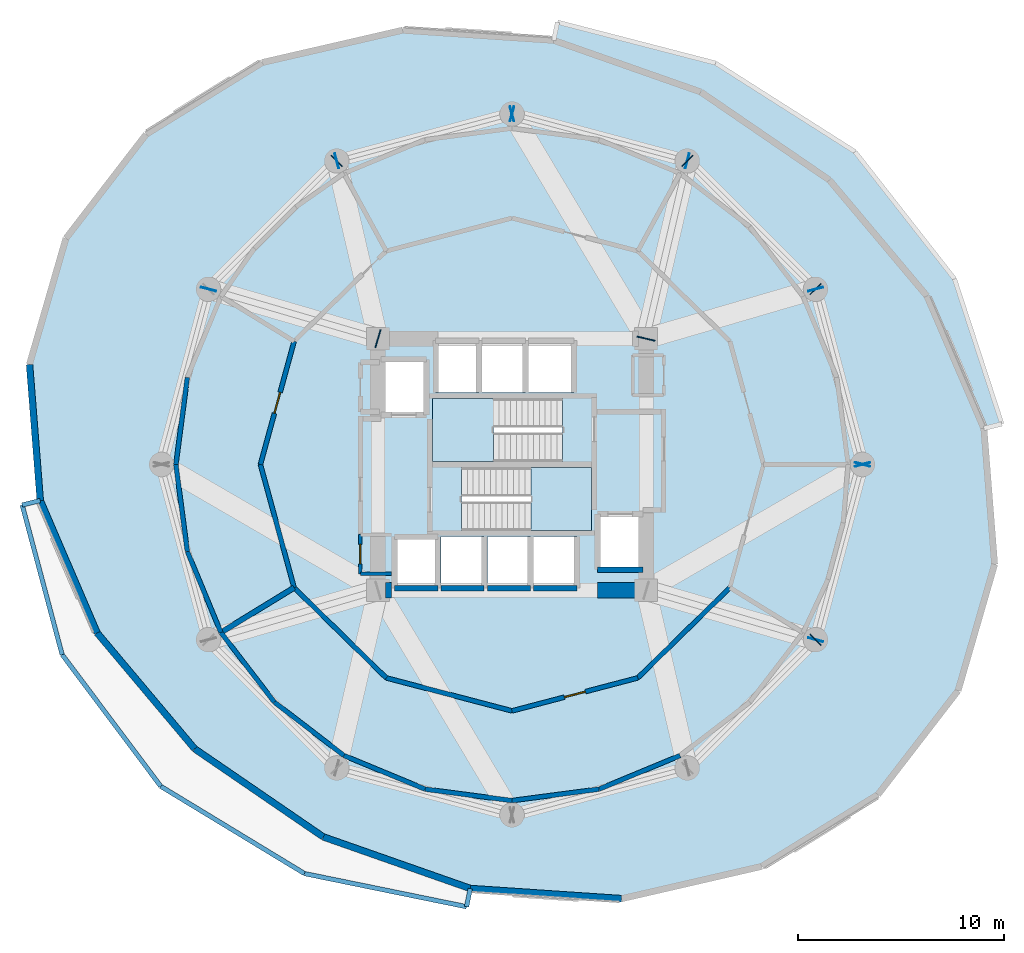
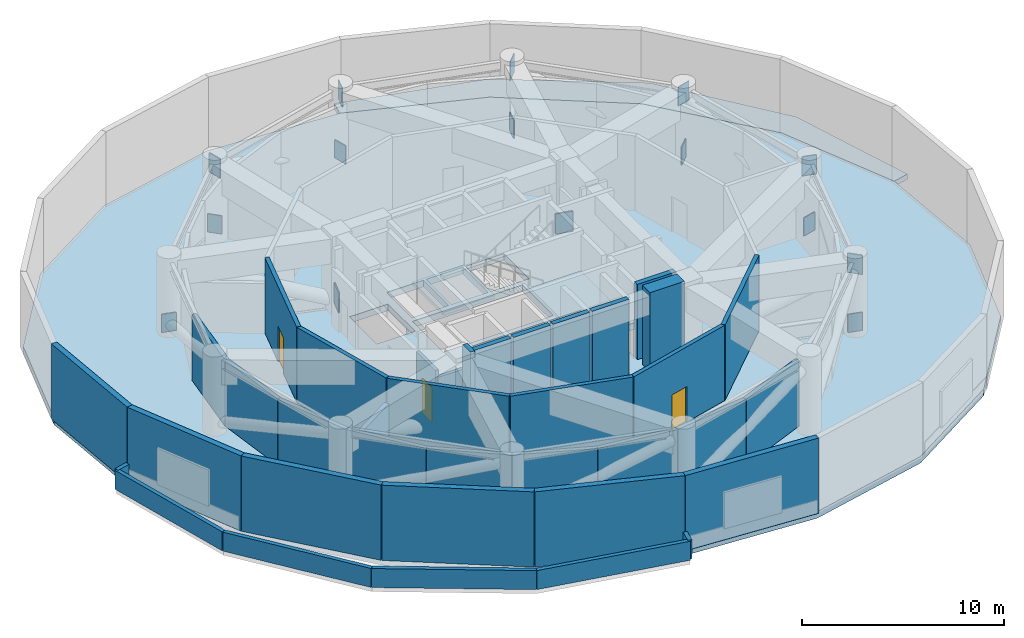
# One storey, part 2 of 6: 37 walls, 15 plates, 4 slabs, 3 doors, 3 openings, 2 elements without a shape of their own.
"""IFC4 building model written with IfcOpenShell, lengths in metres."""

from ifc_helpers import new_model, si_unit, direction, frame, frame_2d, origin, origin_2d, place, context, subcontext, project, spatial, polyline, rectangle, outline, extrude, material, layer, layer_set, type_object, element, fill, aggregate, save


model = new_model("IFC4")

# Units and contexts
model_context = context("Model", 3, precision=1e-05, world=origin(), true_north=direction((0.0, 1.0)))
body_context = subcontext(model_context, "Body", "Model", "MODEL_VIEW")
ifc_project = project(units=[si_unit("LENGTHUNIT", "METRE"), si_unit("AREAUNIT", "SQUARE_METRE"), si_unit("VOLUMEUNIT", "CUBIC_METRE"), si_unit("PLANEANGLEUNIT", "RADIAN"), si_unit("MASSUNIT", "GRAM", prefix="KILO")], contexts=[model_context])

# Site, building, storey
site_placement = place(None, origin())
site = spatial("IfcSite", under=ifc_project, at=site_placement, CompositionType="ELEMENT")
building_placement = place(site_placement, origin())
building = spatial("IfcBuilding", under=site, at=building_placement, Name="Solvirekh Grand Hotel", CompositionType="ELEMENT")
storey_placement = place(building_placement, frame((0.0, 0.0, 93.199951171875)))
storey = spatial("IfcBuildingStorey", under=building, at=storey_placement, Name="L23", CompositionType="ELEMENT", Elevation=93.199951171875)

# Plates
ifc_material_1 = material(Name="Steel S460", Category="steel")
ifc_layer_1 = layer(ifc_material_1, 0.044921875)
ifc_layer_set_1 = layer_set([ifc_layer_1], Name="Steel S460")
plate_type_1 = type_object("IfcPlateType", Name="GussetPlate_45", PredefinedType="USERDEFINED", material=ifc_layer_set_1)
for number, where, z_axis, x_axis, name in (
    (1, (17.0, 0.0, -0.060791015625), (0.0, 0.0, 1.0), (-0.258819045103, 0.965925826289, 0.0), "L23 hollow-section node plate GP-L23-BELT-01A"),
    (2, (14.721923828125, 8.5, 3.510986328125), (0.0, 0.0, 1.0), (-0.258819045103, 0.965925826289, 0.0), "L23 hollow-section node plate GP-L23-BELT-01B"),
    (3, (14.721923828125, 8.5, -0.060791015625), (0.0, 0.0, 1.0), (-0.707106781187, 0.707106781187, 0.0), "L23 hollow-section node plate GP-L23-BELT-02A"),
    (4, (8.5, 14.721923828125, 3.510986328125), (0.0, 0.0, 1.0), (-0.707106781187, 0.707106781187, 0.0), "L23 hollow-section node plate GP-L23-BELT-02B"),
    (5, (8.5, 14.721923828125, -0.060791015625), (0.0, 0.0, 1.0), (-0.965925826289, 0.258819045103, 0.0), "L23 hollow-section node plate GP-L23-BELT-03A"),
    (6, (0.0, 17.0, 3.510986328125), (0.0, 0.0, 1.0), (-0.965925826289, 0.258819045103, 0.0), "L23 hollow-section node plate GP-L23-BELT-03B"),
    (7, (0.0, 17.0, -0.060791015625), (0.0, 0.0, 1.0), (-0.965925826289, -0.258819045103, 0.0), "L23 hollow-section node plate GP-L23-BELT-04A"),
    (8, (-8.5, 14.721923828125, 3.510986328125), (0.0, 0.0, 1.0), (-0.965925826289, -0.258819045103, 0.0), "L23 hollow-section node plate GP-L23-BELT-04B"),
    (9, (-8.5, 14.721923828125, -0.060791015625), (0.0, 0.0, 1.0), (-0.707106781187, -0.707106781187, 0.0), "L23 hollow-section node plate GP-L23-BELT-05A"),
    (10, (-14.721923828125, 8.5, -0.060791015625), (0.0, 0.0, 1.0), (-0.258819045103, -0.965925826289, 0.0), "L23 hollow-section node plate GP-L23-BELT-06A"),
    (11, (14.721923828125, -8.5, 3.510986328125), (0.0, 0.0, 1.0), (0.707106781187, 0.707106781187, 0.0), "L23 hollow-section node plate GP-L23-BELT-11B"),
    (12, (14.721923828125, -8.5, -0.060791015625), (0.0, 0.0, 1.0), (0.258819045103, 0.965925826289, 0.0), "L23 hollow-section node plate GP-L23-BELT-12A"),
    (13, (17.0, 0.0, 3.510986328125), (0.0, 0.0, 1.0), (0.258819045103, 0.965925826289, 0.0), "L23 hollow-section node plate GP-L23-BELT-12B"),
):
    element("IfcPlate", number, at=place(storey_placement, frame(where, z_axis=z_axis, x_axis=x_axis)), inside=storey, type_object=plate_type_1, Name=name, ObjectType="GUSSET PLATE", PredefinedType="USERDEFINED", context=body_context, shape_type="SweptSolid", body=[
        extrude(rectangle(XDim=0.044921875, YDim=0.75, at=origin_2d()), origin(), (0.0, 0.0, 1.0), 1.14990234375),
    ])
ifc_layer_2 = layer(ifc_material_1, 0.06005859375)
ifc_layer_set_2 = layer_set([ifc_layer_2], Name="Steel S460")
plate_type_2 = type_object("IfcPlateType", Name="GussetPlate_60", PredefinedType="USERDEFINED", material=ifc_layer_set_2)
for number, where, z_axis, x_axis, name in (
    (14, (6.5, 6.10009765625, -0.185791015625), (0.0, 0.0, 1.0), (0.22597128876, 0.974133962377, 0.0), "L23 hollow-section node plate GP-L23-OUTR-03A"),
    (15, (-6.5, 6.10009765625, -0.185791015625), (0.0, 0.0, 1.0), (-0.959952117146, 0.280164117595, 0.0), "L23 hollow-section node plate GP-L23-OUTR-06A"),
):
    element("IfcPlate", number, at=place(storey_placement, frame(where, z_axis=z_axis, x_axis=x_axis)), inside=storey, type_object=plate_type_2, Name=name, ObjectType="GUSSET PLATE", PredefinedType="USERDEFINED", context=body_context, shape_type="SweptSolid", body=[
        extrude(rectangle(XDim=0.06005859375, YDim=0.89990234375, at=origin_2d()), origin(), (0.0, 0.0, 1.0), 1.39990234375),
    ])

# Stair, slab
ifc_material_2 = material(Name="Concrete C40/50", Category="concrete")
stair_type = type_object("IfcStairType", Name="Stair_Core_1450", PredefinedType="HALF_TURN_STAIR", material=ifc_material_2)
stair_1_placement = place(storey_placement, origin())
stair_1 = element("IfcStair", 16, at=stair_1_placement, inside=storey, type_object=stair_type, Name="L23 Enclosed exit stair ST-1", PredefinedType="HALF_TURN_STAIR")
ifc_layer_3 = layer(ifc_material_2, 0.199951171875)
ifc_layer_set_3 = layer_set([ifc_layer_3], Name="Concrete C40/50")
slab_type_1 = type_object("IfcSlabType", Name="Landing_Stair_200", PredefinedType="LANDING", material=ifc_layer_set_3)
slab_1_placement = place(storey_placement, frame((0.0, 0.0, 2.199951171875)))
slab_1 = element("IfcSlab", 17, at=slab_1_placement, type_object=slab_type_1, Name="ST-1 landing 1", PredefinedType="LANDING", context=body_context, shape_type="SweptSolid", body=[
    extrude(outline(polyline([(0.909912109375, -3.199951171875), (3.85009765625, -3.199951171875), (3.85009765625, -0.14990234375), (0.909912109375, -0.14990234375), (0.909912109375, -3.199951171875)])), origin(), (0.0, 0.0, 1.0), 0.2001953125),
])
aggregate(stair_1, [slab_1])

stair_2_placement = place(storey_placement, origin())
stair_2 = element("IfcStair", 18, at=stair_2_placement, inside=storey, type_object=stair_type, Name="L23 Enclosed exit stair ST-2", PredefinedType="HALF_TURN_STAIR")
slab_2_placement = place(storey_placement, frame((0.0, 0.0, 2.199951171875)))
slab_2 = element("IfcSlab", 19, at=slab_2_placement, type_object=slab_type_1, Name="ST-2 landing 1", PredefinedType="LANDING", context=body_context, shape_type="SweptSolid", body=[
    extrude(outline(polyline([(-0.909912109375, 3.199951171875), (-3.85009765625, 3.199951171875), (-3.85009765625, 0.14990234375), (-0.909912109375, 0.14990234375), (-0.909912109375, 3.199951171875)])), origin(), (0.0, 0.0, 1.0), 0.2001953125),
])
aggregate(stair_2, [slab_2])

# Slabs
ifc_material_3 = material(Name="Concrete C50/60", Category="concrete")
ifc_layer_4 = layer(ifc_material_3, 0.320068359375)
ifc_layer_set_4 = layer_set([ifc_layer_4], Name="Concrete C50/60")
slab_type_2 = type_object("IfcSlabType", Name="RoofSlab_Podium_320", PredefinedType="ROOF", material=ifc_layer_set_4)
slab_3_placement = place(storey_placement, frame((0.0, 0.0, -0.320068359375)))
element("IfcSlab", 20, at=slab_3_placement, inside=storey, type_object=slab_type_2, Name="L23 setback mechanical north roof cap", PredefinedType="ROOF", context=body_context, shape_type="SweptSolid", body=[
    extrude(outline(polyline([(23.7529296875, 1.967041015625), (21.455078125, 8.998046875), (16.631103515625, 15.1640625), (9.865966796875, 19.464111328125), (2.2060546875, 21.447021484375), (2.02294921875, 20.56591796875), (9.155029296875, 18.06201171875), (15.39111328125, 13.7900390625), (20.12109375, 8.16796875), (22.8798828125, 1.7470703125), (23.7529296875, 1.967041015625)])), origin(), (0.0, 0.0, 1.0), 0.320068359375),
])
ifc_layer_5 = layer(ifc_material_3, 0.39990234375)
ifc_layer_set_5 = layer_set([ifc_layer_5], Name="Concrete C50/60")
slab_type_3 = type_object("IfcSlabType", Name="Slab_Plant_400", PredefinedType="FLOOR", material=ifc_layer_set_5)
slab_4_placement = place(storey_placement, frame((0.0, 0.0, -0.39990234375)))
element("IfcSlab", 21, at=slab_4_placement, inside=storey, type_object=slab_type_3, Name="L23 structural floor slab", PredefinedType="FLOOR", context=body_context, shape_type="SweptSolid", body=[
    extrude(outline(polyline([(21.6298828125, -10.964111328125), (23.39990234375, -4.845947265625), (22.8798828125, 1.7470703125), (20.12109375, 8.16796875), (15.39111328125, 13.7900390625), (9.155029296875, 18.06201171875), (2.02294921875, 20.56591796875), (-5.306884765625, 21.056884765625), (-12.117919921875, 19.487060546875), (-17.741943359375, 16.009033203125), (-21.6298828125, 10.964111328125), (-23.39990234375, 4.845947265625), (-22.8798828125, -1.7470703125), (-20.12109375, -8.16796875), (-15.39111328125, -13.7900390625), (-9.155029296875, -18.06201171875), (-2.02294921875, -20.56591796875), (5.306884765625, -21.056884765625), (12.117919921875, -19.487060546875), (17.741943359375, -16.009033203125), (21.6298828125, -10.964111328125)]), holes=[polyline([(-2.444091796875, -0.14990234375), (3.85009765625, -0.14990234375), (3.85009765625, -3.199951171875), (-2.444091796875, -3.199951171875), (-2.444091796875, -0.14990234375)]), polyline([(2.444091796875, 0.14990234375), (-3.85009765625, 0.14990234375), (-3.85009765625, 3.199951171875), (2.444091796875, 3.199951171875), (2.444091796875, 0.14990234375)]), polyline([(-5.699951171875, -3.5), (-3.60009765625, -3.5), (-3.60009765625, -6.0), (-5.699951171875, -6.0), (-5.699951171875, -3.5)]), polyline([(-3.449951171875, -3.5), (-1.35009765625, -3.5), (-1.35009765625, -6.0), (-3.449951171875, -6.0), (-3.449951171875, -3.5)]), polyline([(-1.199951171875, -3.5), (0.89990234375, -3.5), (0.89990234375, -6.0), (-1.199951171875, -6.0), (-1.199951171875, -3.5)]), polyline([(1.050048828125, -3.5), (3.14990234375, -3.5), (3.14990234375, -6.0), (1.050048828125, -6.0), (1.050048828125, -3.5)]), polyline([(-3.699951171875, 6.0), (-1.60009765625, 6.0), (-1.60009765625, 3.5), (-3.699951171875, 3.5), (-3.699951171875, 6.0)]), polyline([(-1.449951171875, 6.0), (0.64990234375, 6.0), (0.64990234375, 3.5), (-1.449951171875, 3.5), (-1.449951171875, 6.0)]), polyline([(0.800048828125, 6.0), (3.0, 6.0), (3.0, 3.5), (0.800048828125, 3.5), (0.800048828125, 6.0)]), polyline([(-6.35009765625, 5.10009765625), (-4.14990234375, 5.10009765625), (-4.14990234375, 2.39990234375), (-6.35009765625, 2.39990234375), (-6.35009765625, 5.10009765625)]), polyline([(4.14990234375, -2.39990234375), (6.35009765625, -2.39990234375), (6.35009765625, -5.10009765625), (4.14990234375, -5.10009765625), (4.14990234375, -2.39990234375)])]), origin(), (0.0, 0.0, 1.0), 0.39990234375),
])

# Walls
ifc_layer_6 = layer(ifc_material_2, 0.280029296875)
ifc_layer_set_6 = layer_set([ifc_layer_6], Name="Concrete C40/50")
wall_type_1 = type_object("IfcWallType", Name="CoreShaftWall_RC280", PredefinedType="SOLIDWALL", material=ifc_layer_set_6)
for number, where, z_axis, x_axis, name in (
    (22, (-5.699951171875, -6.0, 0.0), (0.0, 0.0, 1.0), (1.0, 0.0, 0.0), "L23 LP-1 hoistway S wall"),
    (23, (-3.449951171875, -6.0, 0.0), (0.0, 0.0, 1.0), (1.0, 0.0, 0.0), "L23 LP-2 hoistway S wall"),
    (24, (-1.199951171875, -6.0, 0.0), (0.0, 0.0, 1.0), (1.0, 0.0, 0.0), "L23 MP-1 hoistway S wall"),
    (25, (1.050048828125, -6.0, 0.0), (0.0, 0.0, 1.0), (1.0, 0.0, 0.0), "L23 MP-2 hoistway S wall"),
):
    element("IfcWall", number, at=place(storey_placement, frame(where, z_axis=z_axis, x_axis=x_axis)), inside=storey, type_object=wall_type_1, Name=name, PredefinedType="SOLIDWALL", context=body_context, shape_type="SweptSolid", body=[
        extrude(rectangle(XDim=2.099853515625, YDim=0.280029296875, at=frame_2d((1.0498046875, 0.0))), origin(), (0.0, 0.0, 1.0), 4.550048828125),
    ])
wall_1_placement = place(storey_placement, frame((4.14990234375, -5.10009765625, 0.0), z_axis=(0.0, 0.0, 1.0), x_axis=(1.0, 0.0, 0.0)))
element("IfcWall", 26, at=wall_1_placement, inside=storey, type_object=wall_type_1, Name="L23 FL-2 hoistway S wall", PredefinedType="SOLIDWALL", context=body_context, shape_type="SweptSolid", body=[
    extrude(rectangle(XDim=2.2001953125, YDim=0.280029296875, at=frame_2d((1.10009765625, 0.0))), origin(), (0.0, 0.0, 1.0), 4.550048828125),
])
ifc_material_4 = material(Name="Concrete C60/75", Category="concrete")
ifc_layer_7 = layer(ifc_material_4, 0.75)
ifc_layer_set_7 = layer_set([ifc_layer_7], Name="Concrete C60/75")
wall_type_2 = type_object("IfcWallType", Name="CoreWall_RC750", PredefinedType="SHEAR", material=ifc_layer_set_7)
wall_2_placement = place(storey_placement, frame((-6.125, -6.10009765625, 0.0), z_axis=(0.0, 0.0, 1.0), x_axis=(1.0, 0.0, 0.0)))
element("IfcWall", 27, at=wall_2_placement, inside=storey, type_object=wall_type_2, Name="L23 core corner shear wall SW-S", PredefinedType="SHEAR", context=body_context, shape_type="SweptSolid", body=[
    extrude(rectangle(XDim=0.27490234375, YDim=0.75, at=frame_2d((0.137451171875, 0.0))), origin(), (0.0, 0.0, 1.0), 4.800048828125),
])
wall_3_placement = place(storey_placement, frame((4.14990234375, -6.10009765625, 0.0), z_axis=(0.0, 0.0, 1.0), x_axis=(1.0, 0.0, 0.0)))
element("IfcWall", 28, at=wall_3_placement, inside=storey, type_object=wall_type_2, Name="L23 core corner shear wall SE-S", PredefinedType="SHEAR", context=body_context, shape_type="SweptSolid", body=[
    extrude(rectangle(XDim=1.97509765625, YDim=0.75, at=frame_2d((0.987548828125, 0.0))), origin(), (0.0, 0.0, 1.0), 4.800048828125),
])
ifc_material_5 = material(Name="Precast concrete C45/55", Category="concrete")
ifc_layer_8 = layer(ifc_material_5, 0.320068359375)
ifc_layer_set_8 = layer_set([ifc_layer_8], Name="Precast concrete C45/55")
wall_type_3 = type_object("IfcWallType", Name="ExtLobbyWall_RC320", PredefinedType="SOLIDWALL", material=ifc_layer_set_8)
wall_4_placement = place(storey_placement, frame((-22.8798828125, -1.7470703125, 0.0), z_axis=(0.0, 0.0, 1.0), x_axis=(-0.078630076914, 0.996903862468, 0.0)))
element("IfcWall", 29, at=wall_4_placement, inside=storey, type_object=wall_type_3, Name="L23 exterior structural wall chord 12", PredefinedType="SOLIDWALL", context=body_context, shape_type="SweptSolid", body=[
    extrude(rectangle(XDim=6.613525390625, YDim=0.320068359375, at=frame_2d((3.306640625, 0.0))), origin(), (0.0, 0.0, 1.0), 4.550048828125),
])
wall_5_placement = place(storey_placement, frame((-20.12109375, -8.16796875, 0.0), z_axis=(0.0, 0.0, 1.0), x_axis=(-0.394762384769, 0.918783249505, 0.0)))
element("IfcWall", 30, at=wall_5_placement, inside=storey, type_object=wall_type_3, Name="L23 exterior structural wall chord 13", PredefinedType="SOLIDWALL", context=body_context, shape_type="SweptSolid", body=[
    extrude(rectangle(XDim=6.988525390625, YDim=0.320068359375, at=frame_2d((3.494140625, 0.0))), origin(), (0.0, 0.0, 1.0), 4.550048828125),
])
wall_6_placement = place(storey_placement, frame((-15.39111328125, -13.7900390625, 0.0), z_axis=(0.0, 0.0, 1.0), x_axis=(-0.643785719835, 0.765205819983, 0.0)))
element("IfcWall", 31, at=wall_6_placement, inside=storey, type_object=wall_type_3, Name="L23 exterior structural wall chord 14", PredefinedType="SOLIDWALL", context=body_context, shape_type="SweptSolid", body=[
    extrude(rectangle(XDim=7.34716796875, YDim=0.320068359375, at=frame_2d((3.673583984375, 0.0))), origin(), (0.0, 0.0, 1.0), 4.550048828125),
])
wall_7_placement = place(storey_placement, frame((-9.155029296875, -18.06201171875, 0.0), z_axis=(0.0, 0.0, 1.0), x_axis=(-0.824987866638, 0.565150440059, 0.0)))
element("IfcWall", 32, at=wall_7_placement, inside=storey, type_object=wall_type_3, Name="L23 exterior structural wall chord 15", PredefinedType="SOLIDWALL", context=body_context, shape_type="SweptSolid", body=[
    extrude(rectangle(XDim=7.55908203125, YDim=0.320068359375, at=frame_2d((3.779541015625, 0.0))), origin(), (0.0, 0.0, 1.0), 4.550048828125),
])
wall_8_placement = place(storey_placement, frame((-2.02294921875, -20.56591796875, 0.0), z_axis=(0.0, 0.0, 1.0), x_axis=(-0.943541194122, 0.331255211273, 0.0)))
element("IfcWall", 33, at=wall_8_placement, inside=storey, type_object=wall_type_3, Name="L23 exterior structural wall chord 16", PredefinedType="SOLIDWALL", context=body_context, shape_type="SweptSolid", body=[
    extrude(rectangle(XDim=7.558837890625, YDim=0.320068359375, at=frame_2d((3.779296875, 0.0))), origin(), (0.0, 0.0, 1.0), 4.550048828125),
])
wall_9_placement = place(storey_placement, frame((5.306884765625, -21.056884765625, 0.0), z_axis=(0.0, 0.0, 1.0), x_axis=(-0.997764227577, 0.066832224017, 0.0)))
element("IfcWall", 34, at=wall_9_placement, inside=storey, type_object=wall_type_3, Name="L23 exterior structural wall chord 17", PredefinedType="SOLIDWALL", context=body_context, shape_type="SweptSolid", body=[
    extrude(rectangle(XDim=7.34619140625, YDim=0.320068359375, at=frame_2d((3.673095703125, 0.0))), origin(), (0.0, 0.0, 1.0), 4.550048828125),
])
ifc_layer_9 = layer(ifc_material_5, 0.219970703125)
ifc_layer_set_9 = layer_set([ifc_layer_9], Name="Precast concrete C45/55")
wall_type_4 = type_object("IfcWallType", Name="ExtParapet_RC220", PredefinedType="PARAPET", material=ifc_layer_set_9)
wall_10_placement = place(storey_placement, frame((-22.8798828125, -1.7470703125, 0.0), z_axis=(0.0, 0.0, 1.0), x_axis=(-0.969694226738, -0.24432172771, 0.0)))
element("IfcWall", 35, at=wall_10_placement, inside=storey, type_object=wall_type_4, Name="L23 mechanical setback parapet terr 1", PredefinedType="PARAPET", context=body_context, shape_type="SweptSolid", body=[
    extrude(rectangle(XDim=0.900390625, YDim=0.219970703125, at=frame_2d((0.4501953125, 0.0))), origin(), (0.0, 0.0, 1.0), 1.150146484375),
])
wall_11_placement = place(storey_placement, frame((-23.7529296875, -1.967041015625, 0.0), z_axis=(0.0, 0.0, 1.0), x_axis=(0.257958088537, -0.966156107758, 0.0)))
element("IfcWall", 36, at=wall_11_placement, inside=storey, type_object=wall_type_4, Name="L23 mechanical setback parapet terr 2", PredefinedType="PARAPET", context=body_context, shape_type="SweptSolid", body=[
    extrude(rectangle(XDim=7.509033203125, YDim=0.219970703125, at=frame_2d((3.75439453125, 0.0))), origin(), (0.0, 0.0, 1.0), 1.150146484375),
])
wall_12_placement = place(storey_placement, frame((-21.81591796875, -9.221923828125, 0.0), z_axis=(0.0, 0.0, 1.0), x_axis=(0.599417282343, -0.800436706823, 0.0)))
element("IfcWall", 37, at=wall_12_placement, inside=storey, type_object=wall_type_4, Name="L23 mechanical setback parapet terr 3", PredefinedType="PARAPET", context=body_context, shape_type="SweptSolid", body=[
    extrude(rectangle(XDim=7.979248046875, YDim=0.219970703125, at=frame_2d((3.98974609375, 0.0))), origin(), (0.0, 0.0, 1.0), 1.150146484375),
])
wall_13_placement = place(storey_placement, frame((-17.032958984375, -15.60888671875, 0.0), z_axis=(0.0, 0.0, 1.0), x_axis=(0.854873312864, -0.518836794139, 0.0)))
element("IfcWall", 38, at=wall_13_placement, inside=storey, type_object=wall_type_4, Name="L23 mechanical setback parapet terr 4", PredefinedType="PARAPET", context=body_context, shape_type="SweptSolid", body=[
    extrude(rectangle(XDim=8.158935546875, YDim=0.219970703125, at=frame_2d((4.07958984375, 0.0))), origin(), (0.0, 0.0, 1.0), 1.150146484375),
])
wall_14_placement = place(storey_placement, frame((-10.05810546875, -19.842041015625, 0.0), z_axis=(0.0, 0.0, 1.0), x_axis=(0.979742380323, -0.200261998888, 0.0)))
element("IfcWall", 39, at=wall_14_placement, inside=storey, type_object=wall_type_4, Name="L23 mechanical setback parapet terr 5", PredefinedType="PARAPET", context=body_context, shape_type="SweptSolid", body=[
    extrude(rectangle(XDim=8.014404296875, YDim=0.219970703125, at=frame_2d((4.00732421875, 0.0))), origin(), (0.0, 0.0, 1.0), 1.150146484375),
])
wall_15_placement = place(storey_placement, frame((-2.2060546875, -21.447021484375, 0.0), z_axis=(0.0, 0.0, 1.0), x_axis=(0.203466721206, 0.979081862441, 0.0)))
element("IfcWall", 40, at=wall_15_placement, inside=storey, type_object=wall_type_4, Name="L23 mechanical setback parapet terr 6", PredefinedType="PARAPET", context=body_context, shape_type="SweptSolid", body=[
    extrude(rectangle(XDim=0.89990234375, YDim=0.219970703125, at=frame_2d((0.449951171875, 0.0))), origin(), (0.0, 0.0, 1.0), 1.150146484375),
])
ifc_material_6 = material(Name="Acoustic Gypsum Partition Assembly")
ifc_layer_10 = layer(ifc_material_6, 0.1650390625)
ifc_layer_set_10 = layer_set([ifc_layer_10], Name="Acoustic Gypsum Partition Assembly")
wall_type_5 = type_object("IfcWallType", Name="Part_BOH_165", PredefinedType="PARTITIONING", material=ifc_layer_set_10)
wall_16_placement = place(storey_placement, frame((-7.35009765625, -5.300048828125, 0.0), z_axis=(0.0, 0.0, 1.0), x_axis=(1.0, 0.0, 0.0)))
element("IfcWall", 41, at=wall_16_placement, inside=storey, type_object=wall_type_5, Name="L23 L23 Butler Service Closet wall 1", PredefinedType="PARTITIONING", context=body_context, shape_type="SweptSolid", body=[
    extrude(rectangle(XDim=1.5, YDim=0.1650390625, at=frame_2d((0.75, 0.0))), origin(), (0.0, 0.0, 1.0), 3.03515625),
])

# Wall, opening, door
wall_17_placement = place(storey_placement, frame((-7.35009765625, -3.39990234375, 0.0), z_axis=(0.0, 0.0, 1.0), x_axis=(0.0, -1.0, 0.0)))
wall_17 = element("IfcWall", 42, at=wall_17_placement, inside=storey, type_object=wall_type_5, Name="L23 L23 Butler Service Closet wall 4", PredefinedType="PARTITIONING", context=body_context, shape_type="SweptSolid", body=[
    extrude(rectangle(XDim=1.900146484375, YDim=0.1650390625, at=frame_2d((0.9501953125, 0.0))), origin(), (0.0, 0.0, 1.0), 3.43505859375),
])
opening_1_placement = place(wall_17_placement, frame((0.47509765625, 0.0, 0.0)))
opening_1 = element("IfcOpeningElement", 43, at=opening_1_placement, cuts=wall_17, Name="Opening D10", PredefinedType="OPENING", context=body_context, shape_type="SweptSolid", body=[
    extrude(rectangle(XDim=0.949951171875, YDim=2.10009765625, at=frame_2d((0.47509765625, 1.050048828125))), frame((0.0, 0.092529296875, 0.0), z_axis=(0.0, -1.0, 0.0), x_axis=(1.0, 0.0, 0.0)), (0.0, 0.0, 1.0), 0.18505859375),
])
ifc_material_7 = material(Name="Anodized Bronze Aluminium 6063-T6", Category="aluminium")
door_type_1 = type_object("IfcDoorType", Name="Door_RoomInt_950X2100", OperationType="NOTDEFINED", PredefinedType="DOOR", material=ifc_material_7)
door_1_placement = place(opening_1_placement, origin())
door_1 = element("IfcDoor", 44, at=door_1_placement, inside=storey, type_object=door_type_1, Name="L23 L23 Butler Service Closet door", OperationType="SINGLE_SWING_LEFT", OverallHeight=2.10009765625, OverallWidth=0.949951171875, PredefinedType="DOOR", context=body_context, shape_type="SweptSolid", body=[
    extrude(rectangle(XDim=0.949951171875, YDim=2.10009765625, at=frame_2d((0.47509765625, 1.050048828125))), frame((0.0, 0.02490234375, 0.0), z_axis=(0.0, -1.0, 0.0), x_axis=(1.0, 0.0, 0.0)), (0.0, 0.0, 1.0), 0.050048828125),
])
fill(opening_1, door_1)

# Wall
ifc_layer_11 = layer(ifc_material_6, 0.260009765625)
ifc_layer_set_11 = layer_set([ifc_layer_11], Name="Acoustic Gypsum Partition Assembly")
wall_type_6 = type_object("IfcWallType", Name="Part_LobbyFF_260", PredefinedType="PARTITIONING", material=ifc_layer_set_11)
wall_18_placement = place(storey_placement, frame((-10.56591796875, -5.97509765625, 0.0), z_axis=(0.0, 0.0, 1.0), x_axis=(-0.852711641588, -0.522381906559, 0.0)))
element("IfcWall", 45, at=wall_18_placement, inside=storey, type_object=wall_type_6, Name="L23 radial demising wall 8", PredefinedType="PARTITIONING", context=body_context, shape_type="SweptSolid", body=[
    extrude(rectangle(XDim=4.163330078125, YDim=0.260009765625, at=frame_2d((2.08154296875, 0.0))), origin(), (0.0, 0.0, 1.0), 3.03515625),
])

# Wall, opening, door
ifc_layer_12 = layer(ifc_material_5, 0.22509765625)
ifc_layer_set_12 = layer_set([ifc_layer_12], Name="Precast concrete C45/55")
wall_type_7 = type_object("IfcWallType", Name="Part_Plant_225", PredefinedType="PARTITIONING", material=ifc_layer_set_12)
wall_19_placement = place(storey_placement, frame((-10.56591796875, 5.97509765625, 0.0), z_axis=(0.0, 0.0, 1.0), x_axis=(-0.263787657435, -0.964580775148, 0.0)))
wall_19 = element("IfcWall", 46, at=wall_19_placement, inside=storey, type_object=wall_type_7, Name="L23 West Chilled-Water Plant Room corridor wall", PredefinedType="PARTITIONING", context=body_context, shape_type="SweptSolid", body=[
    extrude(rectangle(XDim=6.194580078125, YDim=0.22509765625, at=frame_2d((3.09716796875, 0.0))), origin(), (0.0, 0.0, 1.0), 4.550048828125),
])
opening_2_placement = place(wall_19_placement, frame((2.572021484375, 0.0, 0.0)))
opening_2 = element("IfcOpeningElement", 47, at=opening_2_placement, cuts=wall_19, Name="Opening D12", PredefinedType="OPENING", context=body_context, shape_type="SweptSolid", body=[
    extrude(rectangle(XDim=1.050048828125, YDim=2.14990234375, at=frame_2d((0.52490234375, 1.074951171875))), frame((0.0, 0.12255859375, 0.0), z_axis=(0.0, -1.0, 0.0), x_axis=(1.0, 0.0, 0.0)), (0.0, 0.0, 1.0), 0.2451171875),
])
ifc_material_8 = material(Name="Fire-Rated Steel Door Assembly", Category="steel")
door_type_2 = type_object("IfcDoorType", Name="Door_PlantBOH_1050X2150", OperationType="NOTDEFINED", PredefinedType="DOOR", material=ifc_material_8)
door_2_placement = place(opening_2_placement, origin())
door_2 = element("IfcDoor", 48, at=door_2_placement, inside=storey, type_object=door_type_2, Name="L23 West Chilled-Water Plant Room entrance door", OperationType="SINGLE_SWING_RIGHT", OverallHeight=2.14990234375, OverallWidth=1.050048828125, PredefinedType="DOOR", context=body_context, shape_type="SweptSolid", body=[
    extrude(rectangle(XDim=1.050048828125, YDim=2.14990234375, at=frame_2d((0.52490234375, 1.074951171875))), frame((0.0, 0.02490234375, 0.0), z_axis=(0.0, -1.0, 0.0), x_axis=(1.0, 0.0, 0.0)), (0.0, 0.0, 1.0), 0.050048828125),
])
fill(opening_2, door_2)

# Walls
wall_20_placement = place(storey_placement, frame((-12.199951171875, 0.0, 0.0), z_axis=(0.0, 0.0, 1.0), x_axis=(0.263787657435, -0.964580775148, 0.0)))
element("IfcWall", 49, at=wall_20_placement, inside=storey, type_object=wall_type_7, Name="L23 West Chilled-Water Plant Room corridor wall 2", PredefinedType="PARTITIONING", context=body_context, shape_type="SweptSolid", body=[
    extrude(rectangle(XDim=6.194580078125, YDim=0.22509765625, at=frame_2d((3.09716796875, 0.0))), origin(), (0.0, 0.0, 1.0), 4.550048828125),
])
for number, where, z_axis, x_axis, name in (
    (50, (-15.7451171875, 4.218994140625, 0.0), (0.0, 0.0, 1.0), (-0.130408504789, -0.991460348112, 0.0), "L23 West Chilled-Water Plant Room perimeter acoustic baffle wall 2"),
    (51, (-16.300048828125, 0.0, 0.0), (0.0, 0.0, 1.0), (0.130408504789, -0.991460348112, 0.0), "L23 West Chilled-Water Plant Room perimeter acoustic baffle wall 3"),
):
    element("IfcWall", number, at=place(storey_placement, frame(where, z_axis=z_axis, x_axis=x_axis)), inside=storey, type_object=wall_type_7, Name=name, PredefinedType="PARTITIONING", context=body_context, shape_type="SweptSolid", body=[
        extrude(rectangle(XDim=4.25537109375, YDim=0.22509765625, at=frame_2d((2.127685546875, 0.0))), origin(), (0.0, 0.0, 1.0), 4.0029296875),
    ])
wall_21_placement = place(storey_placement, frame((-15.7451171875, -4.218994140625, 0.0), z_axis=(0.0, 0.0, 1.0), x_axis=(0.382866948124, -0.92380349644, 0.0)))
element("IfcWall", 52, at=wall_21_placement, inside=storey, type_object=wall_type_7, Name="L23 West Chilled-Water Plant Room perimeter acoustic baffle wall 4", PredefinedType="PARTITIONING", context=body_context, shape_type="SweptSolid", body=[
    extrude(rectangle(XDim=4.255126953125, YDim=0.22509765625, at=frame_2d((2.12744140625, 0.0))), origin(), (0.0, 0.0, 1.0), 4.0029296875),
])

# Wall, opening, door
wall_22_placement = place(storey_placement, frame((0.0, -11.949951171875, 0.0), z_axis=(0.0, 0.0, 1.0), x_axis=(0.967248312895, 0.253832033445, 0.0)))
wall_22 = element("IfcWall", 53, at=wall_22_placement, inside=storey, type_object=wall_type_7, Name="L23 Pressurized Occupant Refuge Area corridor wall", PredefinedType="PARTITIONING", context=body_context, shape_type="SweptSolid", body=[
    extrude(rectangle(XDim=6.306640625, YDim=0.22509765625, at=frame_2d((3.1533203125, 0.0))), origin(), (0.0, 0.0, 1.0), 4.550048828125),
])
opening_3_placement = place(wall_22_placement, frame((2.6279296875, 0.0, 0.0)))
opening_3 = element("IfcOpeningElement", 54, at=opening_3_placement, cuts=wall_22, Name="Opening D12", PredefinedType="OPENING", context=body_context, shape_type="SweptSolid", body=[
    extrude(rectangle(XDim=1.050048828125, YDim=2.14990234375, at=frame_2d((0.52490234375, 1.074951171875))), frame((0.0, 0.12255859375, 0.0), z_axis=(0.0, -1.0, 0.0), x_axis=(1.0, 0.0, 0.0)), (0.0, 0.0, 1.0), 0.2451171875),
])
door_3_placement = place(opening_3_placement, origin())
door_3 = element("IfcDoor", 55, at=door_3_placement, inside=storey, type_object=door_type_2, Name="L23 Pressurized Occupant Refuge Area entrance door", OperationType="SINGLE_SWING_LEFT", OverallHeight=2.14990234375, OverallWidth=1.050048828125, PredefinedType="DOOR", context=body_context, shape_type="SweptSolid", body=[
    extrude(rectangle(XDim=1.050048828125, YDim=2.14990234375, at=frame_2d((0.52490234375, 1.074951171875))), frame((0.0, 0.02490234375, 0.0), z_axis=(0.0, -1.0, 0.0), x_axis=(1.0, 0.0, 0.0)), (0.0, 0.0, 1.0), 0.050048828125),
])
fill(opening_3, door_3)

# Walls
wall_23_placement = place(storey_placement, frame((-10.56591796875, -5.97509765625, 0.0), z_axis=(0.0, 0.0, 1.0), x_axis=(0.714411174131, -0.699726142342, 0.0)))
element("IfcWall", 56, at=wall_23_placement, inside=storey, type_object=wall_type_7, Name="L23 Pressurized Occupant Refuge Area corridor wall 2", PredefinedType="PARTITIONING", context=body_context, shape_type="SweptSolid", body=[
    extrude(rectangle(XDim=6.2509765625, YDim=0.22509765625, at=frame_2d((3.12548828125, 0.0))), origin(), (0.0, 0.0, 1.0), 4.550048828125),
])
wall_24_placement = place(storey_placement, frame((-6.10009765625, -10.34912109375, 0.0), z_axis=(0.0, 0.0, 1.0), x_axis=(0.967248312895, -0.253832033445, 0.0)))
element("IfcWall", 57, at=wall_24_placement, inside=storey, type_object=wall_type_7, Name="L23 Pressurized Occupant Refuge Area corridor wall 3", PredefinedType="PARTITIONING", context=body_context, shape_type="SweptSolid", body=[
    extrude(rectangle(XDim=6.306640625, YDim=0.22509765625, at=frame_2d((3.1533203125, 0.0))), origin(), (0.0, 0.0, 1.0), 4.550048828125),
])
wall_25_placement = place(storey_placement, frame((6.10009765625, -10.34912109375, 0.0), z_axis=(0.0, 0.0, 1.0), x_axis=(0.714411174131, 0.699726142342, 0.0)))
element("IfcWall", 58, at=wall_25_placement, inside=storey, type_object=wall_type_7, Name="L23 Pressurized Occupant Refuge Area corridor wall 4", PredefinedType="PARTITIONING", context=body_context, shape_type="SweptSolid", body=[
    extrude(rectangle(XDim=6.2509765625, YDim=0.22509765625, at=frame_2d((3.12548828125, 0.0))), origin(), (0.0, 0.0, 1.0), 4.550048828125),
])
for number, where, z_axis, x_axis, name in (
    (59, (-14.115966796875, -8.14990234375, 0.0), (0.0, 0.0, 1.0), (0.608703733473, -0.7933976083, 0.0), "L23 Pressurized Occupant Refuge Area perimeter acoustic baffle wall 1"),
    (60, (-11.52587890625, -11.52587890625, 0.0), (0.0, 0.0, 1.0), (0.7933976083, -0.608703733473, 0.0), "L23 Pressurized Occupant Refuge Area perimeter acoustic baffle wall 2"),
    (61, (-8.14990234375, -14.115966796875, 0.0), (0.0, 0.0, 1.0), (0.92380349644, -0.382866948124, 0.0), "L23 Pressurized Occupant Refuge Area perimeter acoustic baffle wall 3"),
):
    element("IfcWall", number, at=place(storey_placement, frame(where, z_axis=z_axis, x_axis=x_axis)), inside=storey, type_object=wall_type_7, Name=name, PredefinedType="PARTITIONING", context=body_context, shape_type="SweptSolid", body=[
        extrude(rectangle(XDim=4.255126953125, YDim=0.22509765625, at=frame_2d((2.12744140625, 0.0))), origin(), (0.0, 0.0, 1.0), 4.0029296875),
    ])
for number, where, z_axis, x_axis, name in (
    (62, (-4.218994140625, -15.7451171875, 0.0), (0.0, 0.0, 1.0), (0.991460348112, -0.130408504789, 0.0), "L23 Pressurized Occupant Refuge Area perimeter acoustic baffle wall 4"),
    (63, (0.0, -16.300048828125, 0.0), (0.0, 0.0, 1.0), (0.991460348112, 0.130408504789, 0.0), "L23 Pressurized Occupant Refuge Area perimeter acoustic baffle wall 5"),
):
    element("IfcWall", number, at=place(storey_placement, frame(where, z_axis=z_axis, x_axis=x_axis)), inside=storey, type_object=wall_type_7, Name=name, PredefinedType="PARTITIONING", context=body_context, shape_type="SweptSolid", body=[
        extrude(rectangle(XDim=4.25537109375, YDim=0.22509765625, at=frame_2d((2.127685546875, 0.0))), origin(), (0.0, 0.0, 1.0), 4.0029296875),
    ])
wall_26_placement = place(storey_placement, frame((4.218994140625, -15.7451171875, 0.0), z_axis=(0.0, 0.0, 1.0), x_axis=(0.92380349644, 0.382866948124, 0.0)))
element("IfcWall", 64, at=wall_26_placement, inside=storey, type_object=wall_type_7, Name="L23 Pressurized Occupant Refuge Area perimeter acoustic baffle wall 6", PredefinedType="PARTITIONING", context=body_context, shape_type="SweptSolid", body=[
    extrude(rectangle(XDim=4.255126953125, YDim=0.22509765625, at=frame_2d((2.12744140625, 0.0))), origin(), (0.0, 0.0, 1.0), 4.0029296875),
])

save(model, "model.ifc")
